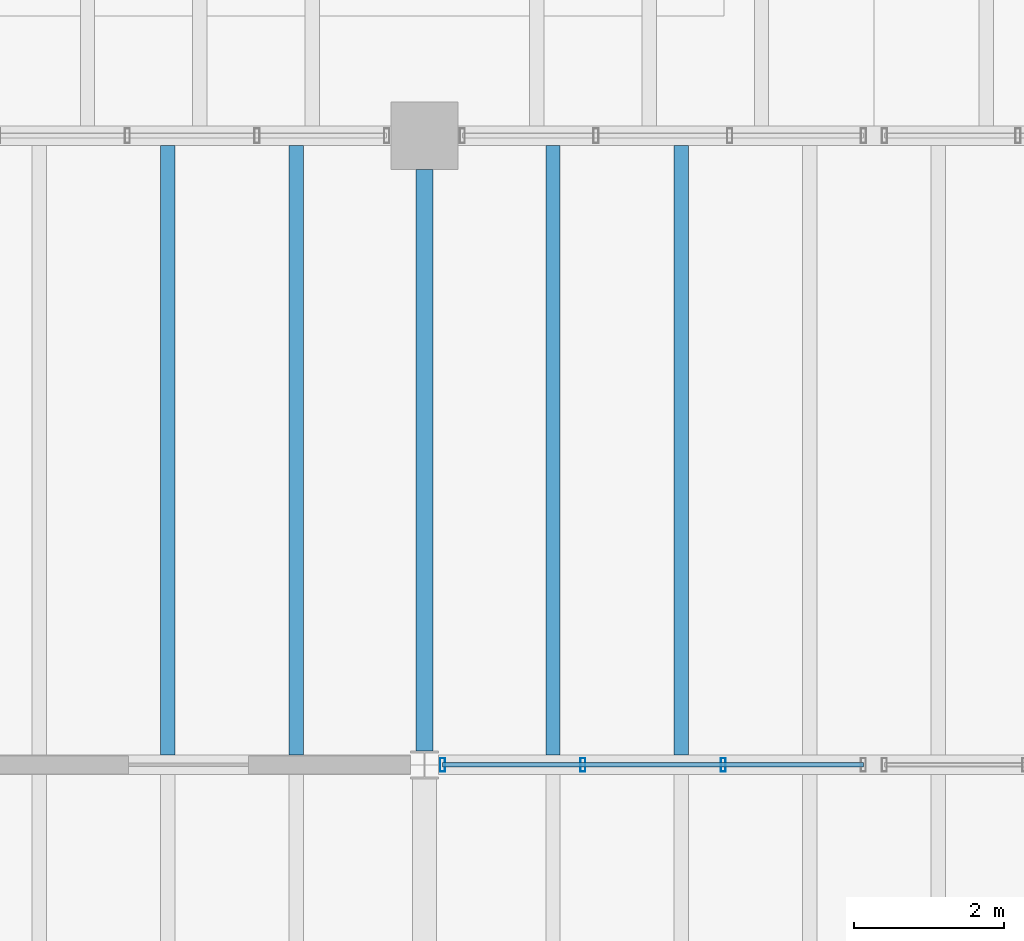
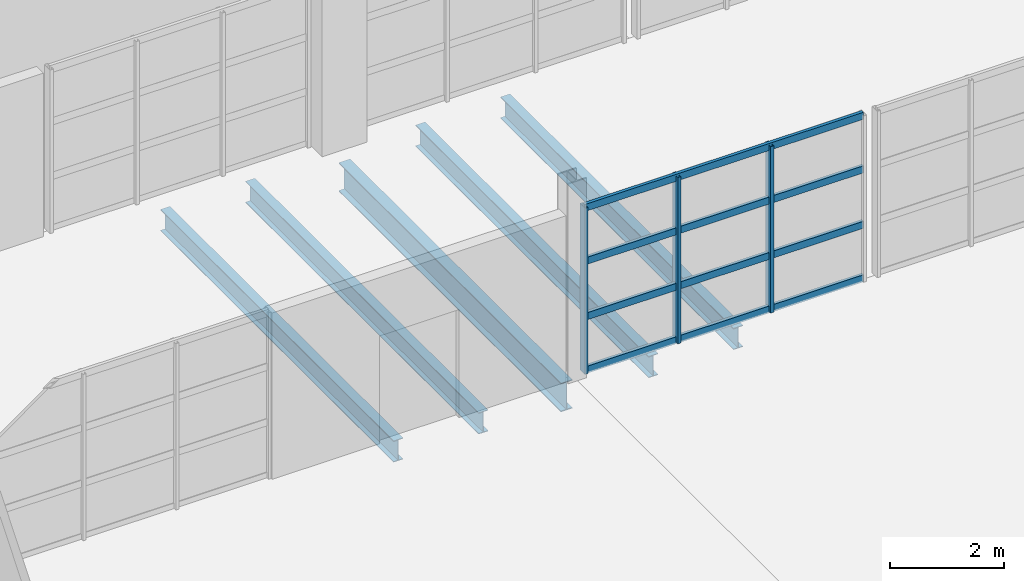
# One storey, part 26 of 114: 7 members, 5 beams, 1 element without a shape of its own.
"""IFC4 building model written with IfcOpenShell, lengths in metres."""

import ifcopenshell
import ifcopenshell.guid

model = None  # the IFC model being written
_history = None  # IfcOwnerHistory: only IFC2X3 demands one
_inside = {}  # id of a spatial element -> (the spatial element, [elements in it])
_under = {}  # id of a project, library or spatial element -> (it, [spatial elements below it])
_declared = {}  # id of a project -> (the project, [libraries it declares])
_typed = {}  # id of a type object -> (the type object, [elements of that type])
_made_of = {}  # id of a material, layer set ... -> (it, [elements and type objects made of it])


def new_model(schema):
    """Start an empty IFC model of exactly this schema.

    Asked for "IFC4X3", IfcOpenShell would pick the latest addendum, in which some entities
    have other attributes; the version numbers below select the first issue.
    IFC2X3 requires an IfcOwnerHistory on every rooted entity: one is made here for all.
    """
    global model, _history
    if schema == "IFC4X3":
        model = ifcopenshell.file(schema_version=(4, 3, 0, 0))
    else:
        model = ifcopenshell.file(schema=schema)
    _inside.clear()
    _under.clear()
    _declared.clear()
    _typed.clear()
    _made_of.clear()
    _history = None
    if model.schema == "IFC2X3":
        org = make("IfcOrganization", Name="unknown")
        user = make(
            "IfcPersonAndOrganization",
            ThePerson=make("IfcPerson", FamilyName="unknown"),
            TheOrganization=org,
        )
        app = make(
            "IfcApplication",
            ApplicationDeveloper=org,
            Version="unknown",
            ApplicationFullName="unknown",
            ApplicationIdentifier="unknown",
        )
        _history = make(
            "IfcOwnerHistory",
            OwningUser=user,
            OwningApplication=app,
            ChangeAction="ADDED",
            CreationDate=0,
        )
    return model


def make(cls, **values):
    """One entity of the class cls with the attributes given. An attribute that is None is left unset."""
    return model.create_entity(
        cls, **{name: value for name, value in values.items() if value is not None}
    )


def rooted(cls, **values):
    """An entity with a GlobalId (a new one), such as an element, a storey or a relation."""
    return make(cls, GlobalId=ifcopenshell.guid.new(), OwnerHistory=_history, **values)


def si_unit(unit_type, name, prefix=None):
    """IfcSIUnit, for example si_unit("LENGTHUNIT", "METRE", prefix="MILLI")."""
    return make("IfcSIUnit", UnitType=unit_type, Prefix=prefix, Name=name)


def assignment(units):
    """IfcUnitAssignment: the units of a project."""
    return None if units is None else make("IfcUnitAssignment", Units=units)


def point(xyz):
    """IfcCartesianPoint."""
    return None if xyz is None else make("IfcCartesianPoint", Coordinates=xyz)


def direction(xyz):
    """IfcDirection."""
    return None if xyz is None else make("IfcDirection", DirectionRatios=xyz)


def frame(location, z_axis=None, x_axis=None):
    """IfcAxis2Placement3D, a coordinate frame: its origin and axes. An axis left out is left unset."""
    return make(
        "IfcAxis2Placement3D",
        Location=point(location),
        Axis=direction(z_axis),
        RefDirection=direction(x_axis),
    )


def frame_2d(location, x_axis=None):
    """IfcAxis2Placement2D, a coordinate frame in the plane: its origin and x axis."""
    return make(
        "IfcAxis2Placement2D", Location=point(location), RefDirection=direction(x_axis)
    )


def origin():
    """The frame at (0, 0, 0) with its axes left unset."""
    return frame((0.0, 0.0, 0.0))


def origin_2d():
    """The frame at (0, 0) in the plane with its x axis left unset."""
    return frame_2d((0.0, 0.0))


def place(relative_to, where):
    """IfcLocalPlacement: puts the frame where relative to a parent placement (None: the world)."""
    return make(
        "IfcLocalPlacement", PlacementRelTo=relative_to, RelativePlacement=where
    )


def context(
    kind, dimensions, precision=None, world=None, true_north=None, identifier=None
):
    """IfcGeometricRepresentationContext, for example the 3D "Model" context."""
    return make(
        "IfcGeometricRepresentationContext",
        ContextIdentifier=identifier,
        ContextType=kind,
        CoordinateSpaceDimension=dimensions,
        Precision=precision,
        WorldCoordinateSystem=world,
        TrueNorth=true_north,
    )


def subcontext(parent, identifier, kind, view, scale=None):
    """IfcGeometricRepresentationSubContext, for example "Body" below "Model"."""
    return make(
        "IfcGeometricRepresentationSubContext",
        ContextIdentifier=identifier,
        ContextType=kind,
        ParentContext=parent,
        TargetScale=scale,
        TargetView=view,
    )


def project(units=None, contexts=None):
    """IfcProject with its units and contexts."""
    return rooted(
        "IfcProject",
        Name="project",
        RepresentationContexts=contexts,
        UnitsInContext=assignment(units),
    )


def spatial(cls, under=None, at=None, **own):
    """A site, building, storey or space (cls), placed at a placement, below another one or the project."""
    s = rooted(cls, ObjectPlacement=at, **own)
    if under is not None:
        _under.setdefault(under.id(), (under, []))[1].append(s)
    return s


def profile(cls, at=None, kind="AREA", **sizes):
    """A parametric profile (cls). Its sizes go by their IFC names, for example OverallWidth=200.0."""
    return make(cls, ProfileType=kind, Position=at, **sizes)


def hollow_rectangle(**sizes):
    """IfcRectangleHollowProfileDef."""
    return profile("IfcRectangleHollowProfileDef", **sizes)


def i_section(**sizes):
    """IfcIShapeProfileDef."""
    return profile("IfcIShapeProfileDef", **sizes)


def extrude(swept, where, along, depth):
    """IfcExtrudedAreaSolid: the profile swept, set in the frame where, extruded along a direction by depth."""
    return make(
        "IfcExtrudedAreaSolid",
        SweptArea=swept,
        Position=where,
        ExtrudedDirection=direction(along),
        Depth=depth,
    )


def shape(context_of_items, identifier, shape_type, items):
    """IfcShapeRepresentation: the items that make up one representation, for example the "Body"."""
    return make(
        "IfcShapeRepresentation",
        ContextOfItems=context_of_items,
        RepresentationIdentifier=identifier,
        RepresentationType=shape_type,
        Items=items,
    )


def material(Name=None, Category=None):
    """IfcMaterial."""
    return make("IfcMaterial", Name=Name, Category=Category)


def material_profile(
    of_material, cross_section, Name=None, Category=None, Priority=None
):
    """IfcMaterialProfile: a cross section and its material."""
    return make(
        "IfcMaterialProfile",
        Name=Name,
        Material=of_material,
        Profile=cross_section,
        Priority=Priority,
        Category=Category,
    )


def profile_set(profiles, Name=None, composite=None):
    """IfcMaterialProfileSet."""
    return make(
        "IfcMaterialProfileSet",
        Name=Name,
        MaterialProfiles=profiles,
        CompositeProfile=composite,
    )


def made_of(thing, what):
    """Note that an element or type object is made of a material, layer set ...; save() writes the relation."""
    if what is not None:
        _made_of.setdefault(what.id(), (what, []))[1].append(thing)
    return thing


def type_object(cls, material=None, **own):
    """A type object (cls), such as IfcWallType, which elements share."""
    return made_of(rooted(cls, **own), material)


def element(
    cls,
    number,
    at=None,
    inside=None,
    cuts=None,
    type_object=None,
    material=None,
    context=None,
    identifier="Body",
    shape_type=None,
    held_by="IfcProductDefinitionShape",
    body=None,
    shapes=None,
    **own,
):
    """One element of the class cls, such as IfcWall. Its Tag is "e" and its number.

    at: its placement. inside: the storey or other place that contains it. cuts: it is an
    opening in that element (IfcRelVoidsElement). A single representation is given by context,
    identifier, shape_type and body (its items); several are given by shapes. held_by: the class
    of the entity that holds the representations. save() writes the other relations.
    """
    e = rooted(cls, Tag="e%d" % number, ObjectPlacement=at, **own)
    if body is not None:
        shapes = [shape(context, identifier, shape_type, body)]
    if shapes is not None:
        e.Representation = make(held_by, Representations=shapes)
    if inside is not None:
        _inside.setdefault(inside.id(), (inside, []))[1].append(e)
    if cuts is not None:
        rooted(
            "IfcRelVoidsElement", RelatingBuildingElement=cuts, RelatedOpeningElement=e
        )
    if type_object is not None:
        _typed.setdefault(type_object.id(), (type_object, []))[1].append(e)
    return made_of(e, material)


def aggregate(whole, parts):
    """IfcRelAggregates: a whole, such as a stair, and the parts it consists of."""
    return rooted("IfcRelAggregates", RelatingObject=whole, RelatedObjects=parts)


def save(model, path):
    """Write the relations noted so far, then the file.

    IfcRelAggregates (storeys below a building ...), IfcRelContainedInSpatialStructure (elements
    in a storey), IfcRelDefinesByType, IfcRelAssociatesMaterial and IfcRelDeclares: one each for
    every whole, place, type object, material and project.
    """
    for whole, parts in _under.values():
        aggregate(whole, parts)
    for where, things in _inside.values():
        rooted(
            "IfcRelContainedInSpatialStructure",
            RelatedElements=things,
            RelatingStructure=where,
        )
    for kind, things in _typed.values():
        rooted("IfcRelDefinesByType", RelatedObjects=things, RelatingType=kind)
    for what, things in _made_of.values():
        rooted("IfcRelAssociatesMaterial", RelatedObjects=things, RelatingMaterial=what)
    for by, libraries in _declared.values():
        rooted("IfcRelDeclares", RelatingContext=by, RelatedDefinitions=libraries)
    model.write(path)


model = new_model("IFC4")

# Units and contexts
model_context = context("Model", 3, precision=1e-05, world=origin(), true_north=direction((0.0, 1.0)))
body_context = subcontext(model_context, "Body", "Model", "MODEL_VIEW")
ifc_project = project(units=[si_unit("LENGTHUNIT", "METRE"), si_unit("AREAUNIT", "SQUARE_METRE"), si_unit("VOLUMEUNIT", "CUBIC_METRE"), si_unit("PLANEANGLEUNIT", "RADIAN"), si_unit("MASSUNIT", "GRAM", prefix="KILO")], contexts=[model_context])

# Site, building, storey
site_placement = place(None, origin())
site = spatial("IfcSite", under=ifc_project, at=site_placement, CompositionType="ELEMENT")
building_placement = place(site_placement, origin())
building = spatial("IfcBuilding", under=site, at=building_placement, Name="Kelmvaro Bay Concert Hall", CompositionType="ELEMENT")
storey_placement = place(building_placement, frame((0.0, 0.0, 4.800048828125)))
storey = spatial("IfcBuildingStorey", under=building, at=storey_placement, Name="L01", CompositionType="ELEMENT", Elevation=4.800048828125)

# Curtain wall, members
ifc_material_1 = material(Name="Anodised Aluminium and Low-E Insulated Glazing", Category="aluminium")
curtain_wall_type = type_object("IfcCurtainWallType", Name="West Link Courtyard Curtain Wall 4000", PredefinedType="USERDEFINED", material=ifc_material_1)
curtain_wall_placement = place(storey_placement, origin())
curtain_wall = element("IfcCurtainWall", 1, at=curtain_wall_placement, inside=storey, type_object=curtain_wall_type, Name="Unitised Curtain Wall CW-L01-138", ObjectType="UNITISED GLAZING", PredefinedType="USERDEFINED")
ifc_material_2 = material(Name="Anodised Extruded Aluminium 6063-T6", Category="aluminium")
ifc_material_profile_1 = material_profile(ifc_material_2, hollow_rectangle(XDim=0.06494140625, YDim=0.179931640625, WallThickness=0.00390625, at=origin_2d()), Name="ALU-MUL-180X65")
ifc_profile_set_1 = profile_set([ifc_material_profile_1], Name="Anodised Extruded Aluminium 6063-T6")
member_type_1 = type_object("IfcMemberType", Name="Curtain Mullion ALU 180x65", PredefinedType="MULLION", material=ifc_profile_set_1)
member_1_placement = place(storey_placement, frame((36.241455078125, 57.0, 0.0), z_axis=(0.0, 0.0, 1.0), x_axis=(1.0, 0.0, 0.0)))
member_1 = element("IfcMember", 2, at=member_1_placement, type_object=member_type_1, Name="CW-L01-138 Mullion 01", PredefinedType="MULLION", context=body_context, shape_type="SweptSolid", body=[
    extrude(hollow_rectangle(XDim=0.06494140625, YDim=0.179931640625, WallThickness=0.00390625, at=origin_2d()), origin(), (0.0, 0.0, 1.0), 3.546875),
])
member_2_placement = place(storey_placement, frame((38.1142578125, 57.0, 0.0), z_axis=(0.0, 0.0, 1.0), x_axis=(1.0, 0.0, 0.0)))
member_2 = element("IfcMember", 3, at=member_2_placement, type_object=member_type_1, Name="CW-L01-138 Mullion 02", PredefinedType="MULLION", context=body_context, shape_type="SweptSolid", body=[
    extrude(hollow_rectangle(XDim=0.06494140625, YDim=0.179931640625, WallThickness=0.00390625, at=origin_2d()), origin(), (0.0, 0.0, 1.0), 3.546875),
])
member_3_placement = place(storey_placement, frame((39.9873046875, 57.0, 0.0), z_axis=(0.0, 0.0, 1.0), x_axis=(1.0, 0.0, 0.0)))
member_3 = element("IfcMember", 4, at=member_3_placement, type_object=member_type_1, Name="CW-L01-138 Mullion 03", PredefinedType="MULLION", context=body_context, shape_type="SweptSolid", body=[
    extrude(hollow_rectangle(XDim=0.06494140625, YDim=0.179931640625, WallThickness=0.00390625, at=origin_2d()), origin(), (0.0, 0.0, 1.0), 3.546875),
])
ifc_material_3 = material(Name="Anodised Extruded Aluminium 6063-T6", Category="aluminium")
ifc_material_profile_2 = material_profile(ifc_material_3, hollow_rectangle(XDim=0.06494140625, YDim=0.14990234375, WallThickness=0.00390625, at=origin_2d()), Name="ALU-TRN-150X65")
ifc_profile_set_2 = profile_set([ifc_material_profile_2], Name="Anodised Extruded Aluminium 6063-T6")
member_type_2 = type_object("IfcMemberType", Name="Curtain Transom ALU 150x65", PredefinedType="USERDEFINED", material=ifc_profile_set_2)
member_4_placement = place(storey_placement, frame((36.241455078125, 57.0, 0.0400390625), z_axis=(1.0, 0.0, 0.0), x_axis=(0.0, 1.0, 0.0)))
member_4 = element("IfcMember", 5, at=member_4_placement, type_object=member_type_2, Name="CW-L01-138 Transom 01", ObjectType="TRANSOM", PredefinedType="USERDEFINED", context=body_context, shape_type="SweptSolid", body=[
    extrude(hollow_rectangle(XDim=0.06494140625, YDim=0.14990234375, WallThickness=0.00390625, at=origin_2d()), origin(), (0.0, 0.0, 1.0), 5.61865234375),
])
member_5_placement = place(storey_placement, frame((36.241455078125, 57.0, 1.182373046875), z_axis=(1.0, 0.0, 0.0), x_axis=(0.0, 1.0, 0.0)))
member_5 = element("IfcMember", 6, at=member_5_placement, type_object=member_type_2, Name="CW-L01-138 Transom 02", ObjectType="TRANSOM", PredefinedType="USERDEFINED", context=body_context, shape_type="SweptSolid", body=[
    extrude(hollow_rectangle(XDim=0.06494140625, YDim=0.14990234375, WallThickness=0.00390625, at=origin_2d()), origin(), (0.0, 0.0, 1.0), 5.61865234375),
])
member_6_placement = place(storey_placement, frame((36.241455078125, 57.0, 2.36474609375), z_axis=(1.0, 0.0, 0.0), x_axis=(0.0, 1.0, 0.0)))
member_6 = element("IfcMember", 7, at=member_6_placement, type_object=member_type_2, Name="CW-L01-138 Transom 03", ObjectType="TRANSOM", PredefinedType="USERDEFINED", context=body_context, shape_type="SweptSolid", body=[
    extrude(hollow_rectangle(XDim=0.06494140625, YDim=0.14990234375, WallThickness=0.00390625, at=origin_2d()), origin(), (0.0, 0.0, 1.0), 5.61865234375),
])
member_7_placement = place(storey_placement, frame((36.241455078125, 57.0, 3.5068359375), z_axis=(1.0, 0.0, 0.0), x_axis=(0.0, 1.0, 0.0)))
member_7 = element("IfcMember", 8, at=member_7_placement, type_object=member_type_2, Name="CW-L01-138 Transom 04", ObjectType="TRANSOM", PredefinedType="USERDEFINED", context=body_context, shape_type="SweptSolid", body=[
    extrude(hollow_rectangle(XDim=0.06494140625, YDim=0.14990234375, WallThickness=0.00390625, at=origin_2d()), origin(), (0.0, 0.0, 1.0), 5.61865234375),
])
aggregate(curtain_wall, [member_1, member_2, member_3, member_4, member_5, member_6, member_7])

# Beams
ifc_material_4 = material(Name="Steel ASTM A992 Grade 50", Category="steel")
ifc_material_profile_3 = material_profile(ifc_material_4, i_section(OverallWidth=0.19091796875, OverallDepth=0.45703125, WebThickness=0.009033203125, FlangeThickness=0.014404296875, at=origin_2d()), Name="W18X50")
ifc_profile_set_3 = profile_set([ifc_material_profile_3], Name="Steel ASTM A992 Grade 50")
beam_type_1 = type_object("IfcBeamType", Name="Standard Composite Floor Joist W18x50", PredefinedType="JOIST", material=ifc_profile_set_3)
for number, where, z_axis, x_axis, name in (
    (9, (32.5712890625, 57.1279296875, -0.468505859375), (0.0, 1.0, 0.0), (-1.0, 0.0, 0.0), "L01 Floor Joist JST-L01-0518"),
    (10, (34.28564453125, 57.1279296875, -0.468505859375), (0.0, 1.0, 0.0), (-1.0, 0.0, 0.0), "L01 Floor Joist JST-L01-0519"),
    (11, (37.71435546875, 57.1279296875, -0.468505859375), (0.0, 1.0, 0.0), (-1.0, 0.0, 0.0), "L01 Floor Joist JST-L01-0520"),
    (12, (39.4287109375, 57.1279296875, -0.468505859375), (0.0, 1.0, 0.0), (-1.0, 0.0, 0.0), "L01 Floor Joist JST-L01-0521"),
):
    element("IfcBeam", number, at=place(storey_placement, frame(where, z_axis=z_axis, x_axis=x_axis)), inside=storey, type_object=beam_type_1, Name=name, PredefinedType="JOIST", context=body_context, shape_type="SweptSolid", body=[
        extrude(i_section(OverallWidth=0.19091796875, OverallDepth=0.45703125, WebThickness=0.009033203125, FlangeThickness=0.014404296875, at=origin_2d()), origin(), (0.0, 0.0, 1.0), 8.14404296875),
    ])
ifc_material_5 = material(Name="Steel ASTM A992 Grade 50", Category="steel")
ifc_material_profile_4 = material_profile(ifc_material_5, i_section(OverallWidth=0.22900390625, OverallDepth=0.612060546875, WebThickness=0.011962890625, FlangeThickness=0.01953125, at=origin_2d()), Name="W24X84")
ifc_profile_set_4 = profile_set([ifc_material_profile_4], Name="Steel ASTM A992 Grade 50")
beam_type_2 = type_object("IfcBeamType", Name="Terrace Edge Girder W24x84", PredefinedType="BEAM", material=ifc_profile_set_4)
beam_placement = place(storey_placement, frame((36.0, 57.1865234375, -0.546142578125), z_axis=(0.0, 1.0, 0.0), x_axis=(-1.0, 0.0, 0.0)))
element("IfcBeam", 13, at=beam_placement, inside=storey, type_object=beam_type_2, Name="L01 Girder BM-L01-NS-0147", PredefinedType="BEAM", context=body_context, shape_type="SweptSolid", body=[
    extrude(i_section(OverallWidth=0.22900390625, OverallDepth=0.612060546875, WebThickness=0.011962890625, FlangeThickness=0.01953125, at=origin_2d()), origin(), (0.0, 0.0, 1.0), 7.763427734375),
])

save(model, "model.ifc")
